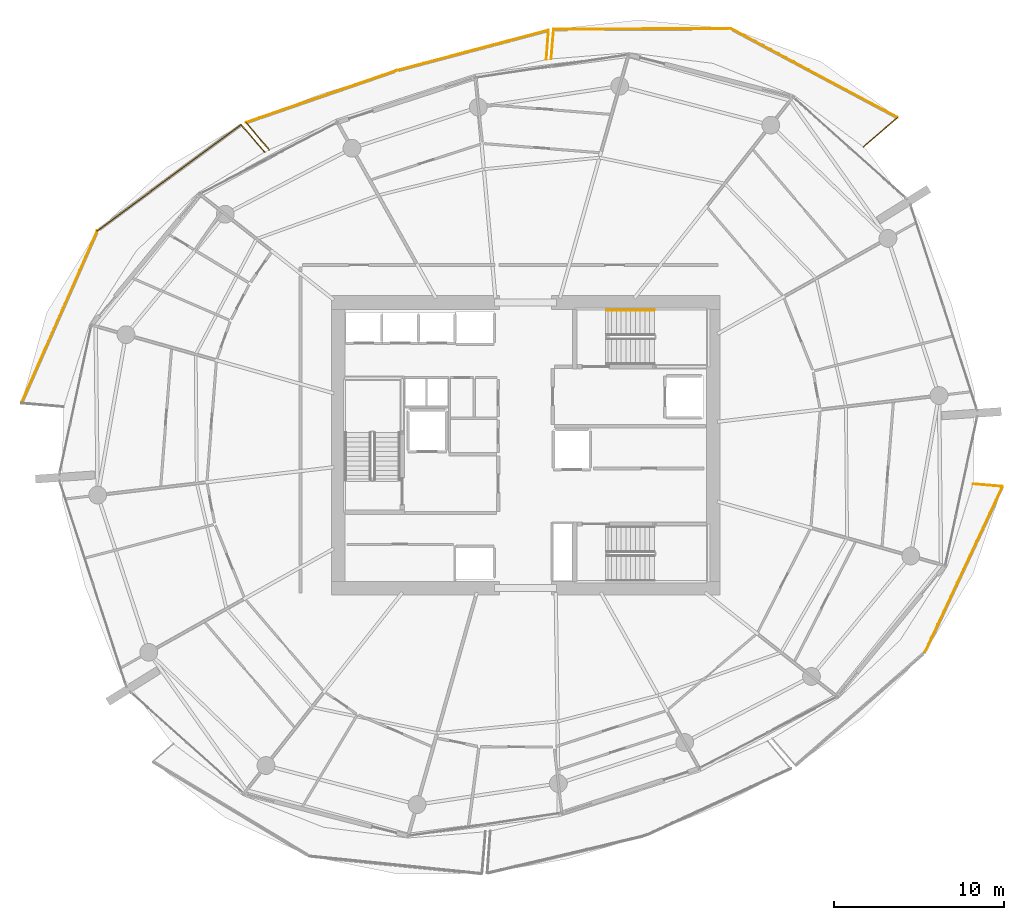
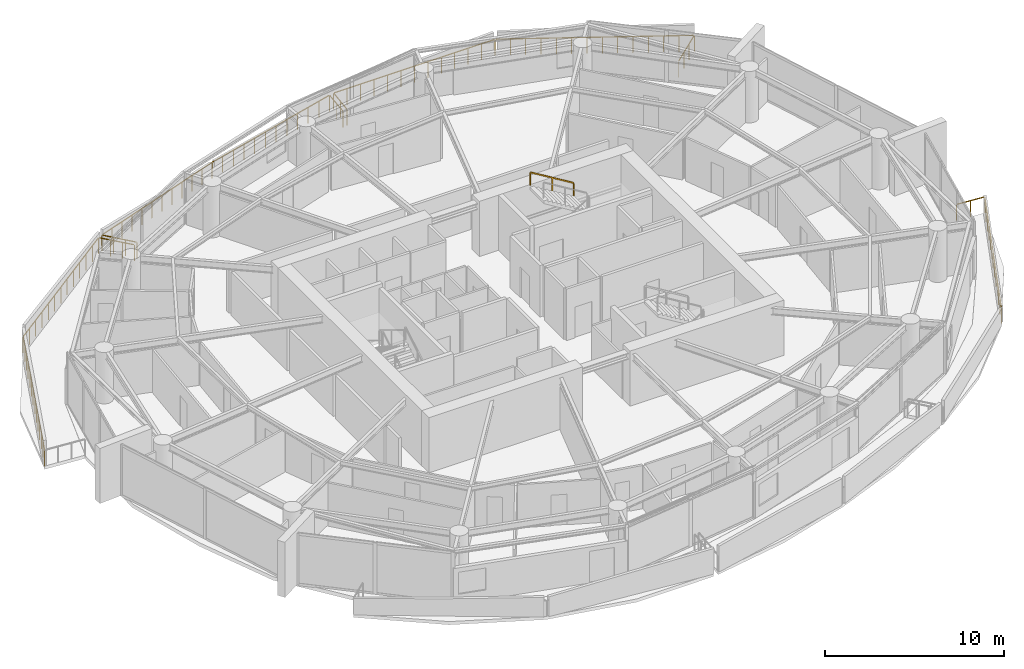
# One storey, part 20 of 20: 14 railings.
"""IFC4 building model written with IfcOpenShell, lengths in metres."""

from ifc_helpers import new_model, si_unit, direction, frame, origin, origin_2d, place, context, subcontext, project, spatial, rectangle, extrude, material, type_object, element, save


model = new_model("IFC4")

# Units and contexts
model_context = context("Model", 3, precision=1e-05, world=origin(), true_north=direction((0.0, 1.0)))
body_context = subcontext(model_context, "Body", "Model", "MODEL_VIEW")
ifc_project = project(units=[si_unit("LENGTHUNIT", "METRE"), si_unit("AREAUNIT", "SQUARE_METRE"), si_unit("VOLUMEUNIT", "CUBIC_METRE"), si_unit("PLANEANGLEUNIT", "RADIAN"), si_unit("MASSUNIT", "GRAM", prefix="KILO")], contexts=[model_context])

# Site, building, storey
site_placement = place(None, origin())
site = spatial("IfcSite", under=ifc_project, at=site_placement, CompositionType="ELEMENT")
building_placement = place(site_placement, origin())
building = spatial("IfcBuilding", under=site, at=building_placement, Name="Kazma Halo Residences", CompositionType="ELEMENT")
storey_placement = place(building_placement, frame((0.0, 0.0, 169.050048828125)))
storey = spatial("IfcBuildingStorey", under=building, at=storey_placement, Name="L42", CompositionType="ELEMENT", Elevation=169.050048828125)

# Railings
ifc_material_1 = material(Name="Aluminium AW-6063 T6 Brushed Cap Rail", Category="aluminium")
railing_type_1 = type_object("IfcRailingType", Name="RLG-BAL-CAP-1120", PredefinedType="BALUSTRADE", material=ifc_material_1)
railing_1_placement = place(storey_placement, frame((68.294677734375, 59.548583984375, 0.0)))
element("IfcRailing", 1, at=railing_1_placement, inside=storey, type_object=railing_type_1, Name="L42 NE wave balcony guard 1", PredefinedType="BALUSTRADE", context=body_context, shape_type="SweptSolid", body=[
    extrude(rectangle(XDim=0.050048828125, YDim=0.050048828125, at=origin_2d()), frame((0.0322265625, 0.02783203125, 1.09521484375), z_axis=(0.756387923345, 0.654123313618, 0.0), x_axis=(-0.654123313618, 0.756387923345, 0.0)), (0.0, 0.0, 1.0), 2.552978515625),
    extrude(rectangle(XDim=0.0400390625, YDim=0.0400390625, at=origin_2d()), origin(), (0.0, 0.0, 1.0), 1.05810546875),
    extrude(rectangle(XDim=0.0400390625, YDim=0.0400390625, at=origin_2d()), frame((0.6650390625, 0.5751953125, 0.0)), (0.0, 0.0, 1.0), 1.05810546875),
    extrude(rectangle(XDim=0.0400390625, YDim=0.0400390625, at=origin_2d()), frame((1.330322265625, 1.150390625, 0.0)), (0.0, 0.0, 1.0), 1.05810546875),
    extrude(rectangle(XDim=0.0400390625, YDim=0.0400390625, at=origin_2d()), frame((1.995361328125, 1.7255859375, 0.0)), (0.0, 0.0, 1.0), 1.05810546875),
])
railing_2_placement = place(storey_placement, frame((70.2900390625, 61.274169921875, 0.0)))
element("IfcRailing", 2, at=railing_2_placement, inside=storey, type_object=railing_type_1, Name="L42 NE wave balcony guard 2", PredefinedType="BALUSTRADE", context=body_context, shape_type="SweptSolid", body=[
    extrude(rectangle(XDim=0.050048828125, YDim=0.050048828125, at=origin_2d()), frame((-0.03759765625, 0.02001953125, 1.09521484375), z_axis=(-0.882331654064, 0.470628146457, 0.0), x_axis=(-0.470628146457, -0.882331654064, 0.0)), (0.0, 0.0, 1.0), 11.027099609375),
    extrude(rectangle(XDim=0.0400390625, YDim=0.0400390625, at=origin_2d()), origin(), (0.0, 0.0, 1.0), 1.05810546875),
    extrude(rectangle(XDim=0.0400390625, YDim=0.0400390625, at=origin_2d()), frame((-0.754150390625, 0.40234375, 0.0)), (0.0, 0.0, 1.0), 1.05810546875),
    extrude(rectangle(XDim=0.0400390625, YDim=0.0400390625, at=origin_2d()), frame((-1.50830078125, 0.8046875, 0.0)), (0.0, 0.0, 1.0), 1.05810546875),
    extrude(rectangle(XDim=0.0400390625, YDim=0.0400390625, at=origin_2d()), frame((-2.2626953125, 1.206787109375, 0.0)), (0.0, 0.0, 1.0), 1.05810546875),
    extrude(rectangle(XDim=0.0400390625, YDim=0.0400390625, at=origin_2d()), frame((-3.016845703125, 1.609130859375, 0.0)), (0.0, 0.0, 1.0), 1.05810546875),
    extrude(rectangle(XDim=0.0400390625, YDim=0.0400390625, at=origin_2d()), frame((-3.77099609375, 2.011474609375, 0.0)), (0.0, 0.0, 1.0), 1.05810546875),
    extrude(rectangle(XDim=0.0400390625, YDim=0.0400390625, at=origin_2d()), frame((-4.525146484375, 2.413818359375, 0.0)), (0.0, 0.0, 1.0), 1.05810546875),
    extrude(rectangle(XDim=0.0400390625, YDim=0.0400390625, at=origin_2d()), frame((-5.279541015625, 2.81591796875, 0.0)), (0.0, 0.0, 1.0), 1.05810546875),
    extrude(rectangle(XDim=0.0400390625, YDim=0.0400390625, at=origin_2d()), frame((-6.03369140625, 3.21826171875, 0.0)), (0.0, 0.0, 1.0), 1.05810546875),
    extrude(rectangle(XDim=0.0400390625, YDim=0.0400390625, at=origin_2d()), frame((-6.787841796875, 3.62060546875, 0.0)), (0.0, 0.0, 1.0), 1.05810546875),
    extrude(rectangle(XDim=0.0400390625, YDim=0.0400390625, at=origin_2d()), frame((-7.5419921875, 4.02294921875, 0.0)), (0.0, 0.0, 1.0), 1.05810546875),
    extrude(rectangle(XDim=0.0400390625, YDim=0.0400390625, at=origin_2d()), frame((-8.29638671875, 4.425048828125, 0.0)), (0.0, 0.0, 1.0), 1.05810546875),
    extrude(rectangle(XDim=0.0400390625, YDim=0.0400390625, at=origin_2d()), frame((-9.050537109375, 4.827392578125, 0.0)), (0.0, 0.0, 1.0), 1.05810546875),
    extrude(rectangle(XDim=0.0400390625, YDim=0.0400390625, at=origin_2d()), frame((-9.8046875, 5.229736328125, 0.0)), (0.0, 0.0, 1.0), 1.05810546875),
])
railing_3_placement = place(storey_placement, frame((60.4853515625, 66.50390625, 0.0)))
element("IfcRailing", 3, at=railing_3_placement, inside=storey, type_object=railing_type_1, Name="L42 NE wave balcony guard 3", PredefinedType="BALUSTRADE", context=body_context, shape_type="SweptSolid", body=[
    extrude(rectangle(XDim=0.050048828125, YDim=0.050048828125, at=origin_2d()), frame((-0.04248046875, -0.000244140625, 1.09521484375), z_axis=(-0.999991958014, -0.004010474807, 0.0), x_axis=(0.004010474807, -0.999991958014, 0.0)), (0.0, 0.0, 1.0), 10.32470703125),
    extrude(rectangle(XDim=0.0400390625, YDim=0.0400390625, at=origin_2d()), origin(), (0.0, 0.0, 1.0), 1.05810546875),
    extrude(rectangle(XDim=0.0400390625, YDim=0.0400390625, at=origin_2d()), frame((-0.867431640625, -0.00341796875, 0.0)), (0.0, 0.0, 1.0), 1.05810546875),
    extrude(rectangle(XDim=0.0400390625, YDim=0.0400390625, at=origin_2d()), frame((-1.73486328125, -0.0068359375, 0.0)), (0.0, 0.0, 1.0), 1.05810546875),
    extrude(rectangle(XDim=0.0400390625, YDim=0.0400390625, at=origin_2d()), frame((-2.6025390625, -0.010498046875, 0.0)), (0.0, 0.0, 1.0), 1.05810546875),
    extrude(rectangle(XDim=0.0400390625, YDim=0.0400390625, at=origin_2d()), frame((-3.469970703125, -0.013916015625, 0.0)), (0.0, 0.0, 1.0), 1.05810546875),
    extrude(rectangle(XDim=0.0400390625, YDim=0.0400390625, at=origin_2d()), frame((-4.33740234375, -0.017333984375, 0.0)), (0.0, 0.0, 1.0), 1.05810546875),
    extrude(rectangle(XDim=0.0400390625, YDim=0.0400390625, at=origin_2d()), frame((-5.204833984375, -0.02099609375, 0.0)), (0.0, 0.0, 1.0), 1.05810546875),
    extrude(rectangle(XDim=0.0400390625, YDim=0.0400390625, at=origin_2d()), frame((-6.072265625, -0.0244140625, 0.0)), (0.0, 0.0, 1.0), 1.05810546875),
    extrude(rectangle(XDim=0.0400390625, YDim=0.0400390625, at=origin_2d()), frame((-6.939697265625, -0.02783203125, 0.0)), (0.0, 0.0, 1.0), 1.05810546875),
    extrude(rectangle(XDim=0.0400390625, YDim=0.0400390625, at=origin_2d()), frame((-7.80712890625, -0.03125, 0.0)), (0.0, 0.0, 1.0), 1.05810546875),
    extrude(rectangle(XDim=0.0400390625, YDim=0.0400390625, at=origin_2d()), frame((-8.6748046875, -0.03466796875, 0.0)), (0.0, 0.0, 1.0), 1.05810546875),
    extrude(rectangle(XDim=0.0400390625, YDim=0.0400390625, at=origin_2d()), frame((-9.542236328125, -0.038330078125, 0.0)), (0.0, 0.0, 1.0), 1.05810546875),
    extrude(rectangle(XDim=0.0400390625, YDim=0.0400390625, at=origin_2d()), frame((-10.40966796875, -0.041748046875, 0.0)), (0.0, 0.0, 1.0), 1.05810546875),
])
railing_4_placement = place(storey_placement, frame((50.07568359375, 66.462158203125, 0.0)))
element("IfcRailing", 4, at=railing_4_placement, inside=storey, type_object=railing_type_1, Name="L42 NE wave balcony guard 4", PredefinedType="BALUSTRADE", context=body_context, shape_type="SweptSolid", body=[
    extrude(rectangle(XDim=0.050048828125, YDim=0.050048828125, at=origin_2d()), frame((-0.003662109375, -0.04248046875, 1.09521484375), z_axis=(-0.084501837771, -0.996423323399, 0.0), x_axis=(0.996423323399, -0.084501837771, 0.0)), (0.0, 0.0, 1.0), 1.662841796875),
    extrude(rectangle(XDim=0.0400390625, YDim=0.0400390625, at=origin_2d()), origin(), (0.0, 0.0, 1.0), 1.05810546875),
    extrude(rectangle(XDim=0.0400390625, YDim=0.0400390625, at=origin_2d()), frame((-0.07373046875, -0.870849609375, 0.0)), (0.0, 0.0, 1.0), 1.05810546875),
    extrude(rectangle(XDim=0.0400390625, YDim=0.0400390625, at=origin_2d()), frame((-0.147705078125, -1.74169921875, 0.0)), (0.0, 0.0, 1.0), 1.05810546875),
])
railing_5_placement = place(storey_placement, frame((49.6455078125, 64.67822265625, 0.0)))
element("IfcRailing", 5, at=railing_5_placement, inside=storey, type_object=railing_type_1, Name="L42 NNW wave balcony guard 1", PredefinedType="BALUSTRADE", context=body_context, shape_type="SweptSolid", body=[
    extrude(rectangle(XDim=0.050048828125, YDim=0.050048828125, at=origin_2d()), frame((0.003173828125, 0.04248046875, 1.09521484375), z_axis=(0.072390221582, 0.997376386235, 0.0), x_axis=(-0.997376386235, 0.072390221582, 0.0)), (0.0, 0.0, 1.0), 1.64501953125),
    extrude(rectangle(XDim=0.0400390625, YDim=0.0400390625, at=origin_2d()), origin(), (0.0, 0.0, 1.0), 1.05810546875),
    extrude(rectangle(XDim=0.0400390625, YDim=0.0400390625, at=origin_2d()), frame((0.0625, 0.86279296875, 0.0)), (0.0, 0.0, 1.0), 1.05810546875),
    extrude(rectangle(XDim=0.0400390625, YDim=0.0400390625, at=origin_2d()), frame((0.125244140625, 1.7255859375, 0.0)), (0.0, 0.0, 1.0), 1.05810546875),
])
railing_6_placement = place(storey_placement, frame((49.770751953125, 66.40380859375, 0.0)))
element("IfcRailing", 6, at=railing_6_placement, inside=storey, type_object=railing_type_1, Name="L42 NNW wave balcony guard 2", PredefinedType="BALUSTRADE", context=body_context, shape_type="SweptSolid", body=[
    extrude(rectangle(XDim=0.050048828125, YDim=0.050048828125, at=origin_2d()), frame((-0.041015625, -0.010986328125, 1.09521484375), z_axis=(-0.966521178341, -0.25658685044, 0.0), x_axis=(0.25658685044, -0.966521178341, 0.0)), (0.0, 0.0, 1.0), 9.15380859375),
    extrude(rectangle(XDim=0.0400390625, YDim=0.0400390625, at=origin_2d()), origin(), (0.0, 0.0, 1.0), 1.05810546875),
    extrude(rectangle(XDim=0.0400390625, YDim=0.0400390625, at=origin_2d()), frame((-0.811767578125, -0.215576171875, 0.0)), (0.0, 0.0, 1.0), 1.05810546875),
    extrude(rectangle(XDim=0.0400390625, YDim=0.0400390625, at=origin_2d()), frame((-1.62353515625, -0.430908203125, 0.0)), (0.0, 0.0, 1.0), 1.05810546875),
    extrude(rectangle(XDim=0.0400390625, YDim=0.0400390625, at=origin_2d()), frame((-2.435302734375, -0.646484375, 0.0)), (0.0, 0.0, 1.0), 1.05810546875),
    extrude(rectangle(XDim=0.0400390625, YDim=0.0400390625, at=origin_2d()), frame((-3.2470703125, -0.862060546875, 0.0)), (0.0, 0.0, 1.0), 1.05810546875),
    extrude(rectangle(XDim=0.0400390625, YDim=0.0400390625, at=origin_2d()), frame((-4.058837890625, -1.07763671875, 0.0)), (0.0, 0.0, 1.0), 1.05810546875),
    extrude(rectangle(XDim=0.0400390625, YDim=0.0400390625, at=origin_2d()), frame((-4.870849609375, -1.29296875, 0.0)), (0.0, 0.0, 1.0), 1.05810546875),
    extrude(rectangle(XDim=0.0400390625, YDim=0.0400390625, at=origin_2d()), frame((-5.6826171875, -1.508544921875, 0.0)), (0.0, 0.0, 1.0), 1.05810546875),
    extrude(rectangle(XDim=0.0400390625, YDim=0.0400390625, at=origin_2d()), frame((-6.494384765625, -1.72412109375, 0.0)), (0.0, 0.0, 1.0), 1.05810546875),
    extrude(rectangle(XDim=0.0400390625, YDim=0.0400390625, at=origin_2d()), frame((-7.30615234375, -1.939697265625, 0.0)), (0.0, 0.0, 1.0), 1.05810546875),
    extrude(rectangle(XDim=0.0400390625, YDim=0.0400390625, at=origin_2d()), frame((-8.117919921875, -2.155029296875, 0.0)), (0.0, 0.0, 1.0), 1.05810546875),
    extrude(rectangle(XDim=0.0400390625, YDim=0.0400390625, at=origin_2d()), frame((-8.9296875, -2.37060546875, 0.0)), (0.0, 0.0, 1.0), 1.05810546875),
])
railing_7_placement = place(storey_placement, frame((40.841064453125, 64.033203125, 0.0)))
element("IfcRailing", 7, at=railing_7_placement, inside=storey, type_object=railing_type_1, Name="L42 NNW wave balcony guard 3", PredefinedType="BALUSTRADE", context=body_context, shape_type="SweptSolid", body=[
    extrude(rectangle(XDim=0.050048828125, YDim=0.050048828125, at=origin_2d()), frame((-0.040283203125, -0.013916015625, 1.09521484375), z_axis=(-0.945398191233, -0.325917566284, 0.0), x_axis=(0.325917566284, -0.945398191233, 0.0)), (0.0, 0.0, 1.0), 9.279296875),
    extrude(rectangle(XDim=0.0400390625, YDim=0.0400390625, at=origin_2d()), origin(), (0.0, 0.0, 1.0), 1.05810546875),
    extrude(rectangle(XDim=0.0400390625, YDim=0.0400390625, at=origin_2d()), frame((-0.804931640625, -0.27734375, 0.0)), (0.0, 0.0, 1.0), 1.05810546875),
    extrude(rectangle(XDim=0.0400390625, YDim=0.0400390625, at=origin_2d()), frame((-1.609619140625, -0.554931640625, 0.0)), (0.0, 0.0, 1.0), 1.05810546875),
    extrude(rectangle(XDim=0.0400390625, YDim=0.0400390625, at=origin_2d()), frame((-2.41455078125, -0.832275390625, 0.0)), (0.0, 0.0, 1.0), 1.05810546875),
    extrude(rectangle(XDim=0.0400390625, YDim=0.0400390625, at=origin_2d()), frame((-3.21923828125, -1.10986328125, 0.0)), (0.0, 0.0, 1.0), 1.05810546875),
    extrude(rectangle(XDim=0.0400390625, YDim=0.0400390625, at=origin_2d()), frame((-4.024169921875, -1.38720703125, 0.0)), (0.0, 0.0, 1.0), 1.05810546875),
    extrude(rectangle(XDim=0.0400390625, YDim=0.0400390625, at=origin_2d()), frame((-4.828857421875, -1.664794921875, 0.0)), (0.0, 0.0, 1.0), 1.05810546875),
    extrude(rectangle(XDim=0.0400390625, YDim=0.0400390625, at=origin_2d()), frame((-5.6337890625, -1.942138671875, 0.0)), (0.0, 0.0, 1.0), 1.05810546875),
    extrude(rectangle(XDim=0.0400390625, YDim=0.0400390625, at=origin_2d()), frame((-6.4384765625, -2.2197265625, 0.0)), (0.0, 0.0, 1.0), 1.05810546875),
    extrude(rectangle(XDim=0.0400390625, YDim=0.0400390625, at=origin_2d()), frame((-7.243408203125, -2.4970703125, 0.0)), (0.0, 0.0, 1.0), 1.05810546875),
    extrude(rectangle(XDim=0.0400390625, YDim=0.0400390625, at=origin_2d()), frame((-8.048095703125, -2.774658203125, 0.0)), (0.0, 0.0, 1.0), 1.05810546875),
    extrude(rectangle(XDim=0.0400390625, YDim=0.0400390625, at=origin_2d()), frame((-8.85302734375, -3.052001953125, 0.0)), (0.0, 0.0, 1.0), 1.05810546875),
])
railing_8_placement = place(storey_placement, frame((31.988037109375, 60.981201171875, 0.0)))
element("IfcRailing", 8, at=railing_8_placement, inside=storey, type_object=railing_type_1, Name="L42 NNW wave balcony guard 4", PredefinedType="BALUSTRADE", context=body_context, shape_type="SweptSolid", body=[
    extrude(rectangle(XDim=0.050048828125, YDim=0.050048828125, at=origin_2d()), frame((0.02734375, -0.032470703125, 1.09521484375), z_axis=(0.644792225972, -0.764357890864, 0.0), x_axis=(0.764357890864, 0.644792225972, 0.0)), (0.0, 0.0, 1.0), 2.010009765625),
    extrude(rectangle(XDim=0.0400390625, YDim=0.0400390625, at=origin_2d()), origin(), (0.0, 0.0, 1.0), 1.05810546875),
    extrude(rectangle(XDim=0.0400390625, YDim=0.0400390625, at=origin_2d()), frame((0.4501953125, -0.53369140625, 0.0)), (0.0, 0.0, 1.0), 1.05810546875),
    extrude(rectangle(XDim=0.0400390625, YDim=0.0400390625, at=origin_2d()), frame((0.900634765625, -1.067626953125, 0.0)), (0.0, 0.0, 1.0), 1.05810546875),
    extrude(rectangle(XDim=0.0400390625, YDim=0.0400390625, at=origin_2d()), frame((1.350830078125, -1.601318359375, 0.0)), (0.0, 0.0, 1.0), 1.05810546875),
])
railing_9_placement = place(storey_placement, frame((33.08544921875, 59.248046875, 0.0)))
element("IfcRailing", 9, at=railing_9_placement, inside=storey, type_object=railing_type_1, Name="L42 NW wave balcony guard 1", PredefinedType="BALUSTRADE", context=body_context, shape_type="SweptSolid", body=[
    extrude(rectangle(XDim=0.050048828125, YDim=0.050048828125, at=origin_2d()), frame((-0.02783203125, 0.0322265625, 1.09521484375), z_axis=(-0.654078865259, 0.756426359946, 0.0), x_axis=(-0.756426359946, -0.654078865259, 0.0)), (0.0, 0.0, 1.0), 2.033203125),
    extrude(rectangle(XDim=0.0400390625, YDim=0.0400390625, at=origin_2d()), origin(), (0.0, 0.0, 1.0), 1.05810546875),
    extrude(rectangle(XDim=0.0400390625, YDim=0.0400390625, at=origin_2d()), frame((-0.4619140625, 0.5341796875, 0.0)), (0.0, 0.0, 1.0), 1.05810546875),
    extrude(rectangle(XDim=0.0400390625, YDim=0.0400390625, at=origin_2d()), frame((-0.923583984375, 1.068115234375, 0.0)), (0.0, 0.0, 1.0), 1.05810546875),
    extrude(rectangle(XDim=0.0400390625, YDim=0.0400390625, at=origin_2d()), frame((-1.385498046875, 1.602294921875, 0.0)), (0.0, 0.0, 1.0), 1.05810546875),
])
railing_10_placement = place(storey_placement, frame((31.699951171875, 60.850341796875, 0.0)))
element("IfcRailing", 10, at=railing_10_placement, inside=storey, type_object=railing_type_1, Name="L42 NW wave balcony guard 2", PredefinedType="BALUSTRADE", context=body_context, shape_type="SweptSolid", body=[
    extrude(rectangle(XDim=0.050048828125, YDim=0.050048828125, at=origin_2d()), frame((-0.0341796875, -0.025146484375, 1.09521484375), z_axis=(-0.804729225788, -0.59364204127, 0.0), x_axis=(0.59364204127, -0.804729225788, 0.0)), (0.0, 0.0, 1.0), 10.42138671875),
    extrude(rectangle(XDim=0.0400390625, YDim=0.0400390625, at=origin_2d()), origin(), (0.0, 0.0, 1.0), 1.05810546875),
    extrude(rectangle(XDim=0.0400390625, YDim=0.0400390625, at=origin_2d()), frame((-0.70458984375, -0.519775390625, 0.0)), (0.0, 0.0, 1.0), 1.05810546875),
    extrude(rectangle(XDim=0.0400390625, YDim=0.0400390625, at=origin_2d()), frame((-1.4091796875, -1.03955078125, 0.0)), (0.0, 0.0, 1.0), 1.05810546875),
    extrude(rectangle(XDim=0.0400390625, YDim=0.0400390625, at=origin_2d()), frame((-2.11376953125, -1.559326171875, 0.0)), (0.0, 0.0, 1.0), 1.05810546875),
    extrude(rectangle(XDim=0.0400390625, YDim=0.0400390625, at=origin_2d()), frame((-2.818359375, -2.0791015625, 0.0)), (0.0, 0.0, 1.0), 1.05810546875),
    extrude(rectangle(XDim=0.0400390625, YDim=0.0400390625, at=origin_2d()), frame((-3.52294921875, -2.598876953125, 0.0)), (0.0, 0.0, 1.0), 1.05810546875),
    extrude(rectangle(XDim=0.0400390625, YDim=0.0400390625, at=origin_2d()), frame((-4.2275390625, -3.11865234375, 0.0)), (0.0, 0.0, 1.0), 1.05810546875),
    extrude(rectangle(XDim=0.0400390625, YDim=0.0400390625, at=origin_2d()), frame((-4.931884765625, -3.63818359375, 0.0)), (0.0, 0.0, 1.0), 1.05810546875),
    extrude(rectangle(XDim=0.0400390625, YDim=0.0400390625, at=origin_2d()), frame((-5.636474609375, -4.157958984375, 0.0)), (0.0, 0.0, 1.0), 1.05810546875),
    extrude(rectangle(XDim=0.0400390625, YDim=0.0400390625, at=origin_2d()), frame((-6.341064453125, -4.677734375, 0.0)), (0.0, 0.0, 1.0), 1.05810546875),
    extrude(rectangle(XDim=0.0400390625, YDim=0.0400390625, at=origin_2d()), frame((-7.045654296875, -5.197509765625, 0.0)), (0.0, 0.0, 1.0), 1.05810546875),
    extrude(rectangle(XDim=0.0400390625, YDim=0.0400390625, at=origin_2d()), frame((-7.750244140625, -5.71728515625, 0.0)), (0.0, 0.0, 1.0), 1.05810546875),
    extrude(rectangle(XDim=0.0400390625, YDim=0.0400390625, at=origin_2d()), frame((-8.454833984375, -6.237060546875, 0.0)), (0.0, 0.0, 1.0), 1.05810546875),
])
railing_11_placement = place(storey_placement, frame((23.2451171875, 54.61328125, 0.0)))
element("IfcRailing", 11, at=railing_11_placement, inside=storey, type_object=railing_type_1, Name="L42 NW wave balcony guard 3", PredefinedType="BALUSTRADE", context=body_context, shape_type="SweptSolid", body=[
    extrude(rectangle(XDim=0.050048828125, YDim=0.050048828125, at=origin_2d()), frame((-0.01708984375, -0.038818359375, 1.09521484375), z_axis=(-0.402971346583, -0.915212594883, 0.0), x_axis=(0.915212594883, -0.402971346583, 0.0)), (0.0, 0.0, 1.0), 10.988037109375),
    extrude(rectangle(XDim=0.0400390625, YDim=0.0400390625, at=origin_2d()), origin(), (0.0, 0.0, 1.0), 1.05810546875),
    extrude(rectangle(XDim=0.0400390625, YDim=0.0400390625, at=origin_2d()), frame((-0.34326171875, -0.779541015625, 0.0)), (0.0, 0.0, 1.0), 1.05810546875),
    extrude(rectangle(XDim=0.0400390625, YDim=0.0400390625, at=origin_2d()), frame((-0.6865234375, -1.55908203125, 0.0)), (0.0, 0.0, 1.0), 1.05810546875),
    extrude(rectangle(XDim=0.0400390625, YDim=0.0400390625, at=origin_2d()), frame((-1.02978515625, -2.338623046875, 0.0)), (0.0, 0.0, 1.0), 1.05810546875),
    extrude(rectangle(XDim=0.0400390625, YDim=0.0400390625, at=origin_2d()), frame((-1.373046875, -3.1181640625, 0.0)), (0.0, 0.0, 1.0), 1.05810546875),
    extrude(rectangle(XDim=0.0400390625, YDim=0.0400390625, at=origin_2d()), frame((-1.71630859375, -3.897705078125, 0.0)), (0.0, 0.0, 1.0), 1.05810546875),
    extrude(rectangle(XDim=0.0400390625, YDim=0.0400390625, at=origin_2d()), frame((-2.0595703125, -4.67724609375, 0.0)), (0.0, 0.0, 1.0), 1.05810546875),
    extrude(rectangle(XDim=0.0400390625, YDim=0.0400390625, at=origin_2d()), frame((-2.402587890625, -5.45703125, 0.0)), (0.0, 0.0, 1.0), 1.05810546875),
    extrude(rectangle(XDim=0.0400390625, YDim=0.0400390625, at=origin_2d()), frame((-2.745849609375, -6.236572265625, 0.0)), (0.0, 0.0, 1.0), 1.05810546875),
    extrude(rectangle(XDim=0.0400390625, YDim=0.0400390625, at=origin_2d()), frame((-3.089111328125, -7.01611328125, 0.0)), (0.0, 0.0, 1.0), 1.05810546875),
    extrude(rectangle(XDim=0.0400390625, YDim=0.0400390625, at=origin_2d()), frame((-3.432373046875, -7.795654296875, 0.0)), (0.0, 0.0, 1.0), 1.05810546875),
    extrude(rectangle(XDim=0.0400390625, YDim=0.0400390625, at=origin_2d()), frame((-3.775634765625, -8.5751953125, 0.0)), (0.0, 0.0, 1.0), 1.05810546875),
    extrude(rectangle(XDim=0.0400390625, YDim=0.0400390625, at=origin_2d()), frame((-4.118896484375, -9.354736328125, 0.0)), (0.0, 0.0, 1.0), 1.05810546875),
    extrude(rectangle(XDim=0.0400390625, YDim=0.0400390625, at=origin_2d()), frame((-4.462158203125, -10.13427734375, 0.0)), (0.0, 0.0, 1.0), 1.05810546875),
])
railing_12_placement = place(storey_placement, frame((71.898681640625, 29.822998046875, 0.0)))
element("IfcRailing", 12, at=railing_12_placement, inside=storey, type_object=railing_type_1, Name="L42 SE wave balcony guard 3", PredefinedType="BALUSTRADE", context=body_context, shape_type="SweptSolid", body=[
    extrude(rectangle(XDim=0.050048828125, YDim=0.050048828125, at=origin_2d()), frame((0.01806640625, 0.03857421875, 1.09521484375), z_axis=(0.424200586033, 0.905568254086, 0.0), x_axis=(-0.905568254086, 0.424200586033, 0.0)), (0.0, 0.0, 1.0), 10.694091796875),
    extrude(rectangle(XDim=0.0400390625, YDim=0.0400390625, at=origin_2d()), origin(), (0.0, 0.0, 1.0), 1.05810546875),
    extrude(rectangle(XDim=0.0400390625, YDim=0.0400390625, at=origin_2d()), frame((0.381103515625, 0.8134765625, 0.0)), (0.0, 0.0, 1.0), 1.05810546875),
    extrude(rectangle(XDim=0.0400390625, YDim=0.0400390625, at=origin_2d()), frame((0.76220703125, 1.626953125, 0.0)), (0.0, 0.0, 1.0), 1.05810546875),
    extrude(rectangle(XDim=0.0400390625, YDim=0.0400390625, at=origin_2d()), frame((1.14306640625, 2.4404296875, 0.0)), (0.0, 0.0, 1.0), 1.05810546875),
    extrude(rectangle(XDim=0.0400390625, YDim=0.0400390625, at=origin_2d()), frame((1.524169921875, 3.253662109375, 0.0)), (0.0, 0.0, 1.0), 1.05810546875),
    extrude(rectangle(XDim=0.0400390625, YDim=0.0400390625, at=origin_2d()), frame((1.9052734375, 4.067138671875, 0.0)), (0.0, 0.0, 1.0), 1.05810546875),
    extrude(rectangle(XDim=0.0400390625, YDim=0.0400390625, at=origin_2d()), frame((2.2861328125, 4.880615234375, 0.0)), (0.0, 0.0, 1.0), 1.05810546875),
    extrude(rectangle(XDim=0.0400390625, YDim=0.0400390625, at=origin_2d()), frame((2.667236328125, 5.694091796875, 0.0)), (0.0, 0.0, 1.0), 1.05810546875),
    extrude(rectangle(XDim=0.0400390625, YDim=0.0400390625, at=origin_2d()), frame((3.04833984375, 6.507568359375, 0.0)), (0.0, 0.0, 1.0), 1.05810546875),
    extrude(rectangle(XDim=0.0400390625, YDim=0.0400390625, at=origin_2d()), frame((3.429443359375, 7.32080078125, 0.0)), (0.0, 0.0, 1.0), 1.05810546875),
    extrude(rectangle(XDim=0.0400390625, YDim=0.0400390625, at=origin_2d()), frame((3.810546875, 8.13427734375, 0.0)), (0.0, 0.0, 1.0), 1.05810546875),
    extrude(rectangle(XDim=0.0400390625, YDim=0.0400390625, at=origin_2d()), frame((4.19140625, 8.94775390625, 0.0)), (0.0, 0.0, 1.0), 1.05810546875),
    extrude(rectangle(XDim=0.0400390625, YDim=0.0400390625, at=origin_2d()), frame((4.572509765625, 9.76123046875, 0.0)), (0.0, 0.0, 1.0), 1.05810546875),
])
railing_13_placement = place(storey_placement, frame((76.47119140625, 39.584228515625, 0.0)))
element("IfcRailing", 13, at=railing_13_placement, inside=storey, type_object=railing_type_1, Name="L42 SE wave balcony guard 4", PredefinedType="BALUSTRADE", context=body_context, shape_type="SweptSolid", body=[
    extrude(rectangle(XDim=0.050048828125, YDim=0.050048828125, at=origin_2d()), frame((-0.04248046875, 0.003662109375, 1.09521484375), z_axis=(-0.996419115679, 0.084551439431, 0.0), x_axis=(-0.084551439431, -0.996419115679, 0.0)), (0.0, 0.0, 1.0), 1.658935546875),
    extrude(rectangle(XDim=0.0400390625, YDim=0.0400390625, at=origin_2d()), origin(), (0.0, 0.0, 1.0), 1.05810546875),
    extrude(rectangle(XDim=0.0400390625, YDim=0.0400390625, at=origin_2d()), frame((-0.868896484375, 0.07373046875, 0.0)), (0.0, 0.0, 1.0), 1.05810546875),
    extrude(rectangle(XDim=0.0400390625, YDim=0.0400390625, at=origin_2d()), frame((-1.73779296875, 0.1474609375, 0.0)), (0.0, 0.0, 1.0), 1.05810546875),
])
ifc_material_2 = material(Name="Brushed Stainless Steel", Category="steel")
railing_type_2 = type_object("IfcRailingType", Name="RLG-STAIR-HND-900", PredefinedType="HANDRAIL", material=ifc_material_2)
railing_14_placement = place(storey_placement, frame((56.0, 49.949951171875, 2.04541015625)))
element("IfcRailing", 14, at=railing_14_placement, inside=storey, type_object=railing_type_2, Name="L42 ST-02 stair handrail 2", PredefinedType="HANDRAIL", context=body_context, shape_type="SweptSolid", body=[
    extrude(rectangle(XDim=0.050048828125, YDim=0.050048828125, at=origin_2d()), frame((-0.036376953125, 0.0, 0.89697265625), z_axis=(-0.854169791009, 0.0, 0.51999420009), x_axis=(0.0, -1.0, 0.0)), (0.0, 0.0, 1.0), 3.193115234375),
    extrude(rectangle(XDim=0.0400390625, YDim=0.0400390625, at=origin_2d()), origin(), (0.0, 0.0, 1.0), 0.837890625),
    extrude(rectangle(XDim=0.0400390625, YDim=0.0400390625, at=origin_2d()), frame((-1.39990234375, 0.0, 0.852294921875)), (0.0, 0.0, 1.0), 0.837890625),
    extrude(rectangle(XDim=0.0400390625, YDim=0.0400390625, at=origin_2d()), frame((-2.800048828125, 0.0, 1.70458984375)), (0.0, 0.0, 1.0), 0.837890625),
])

save(model, "model.ifc")
